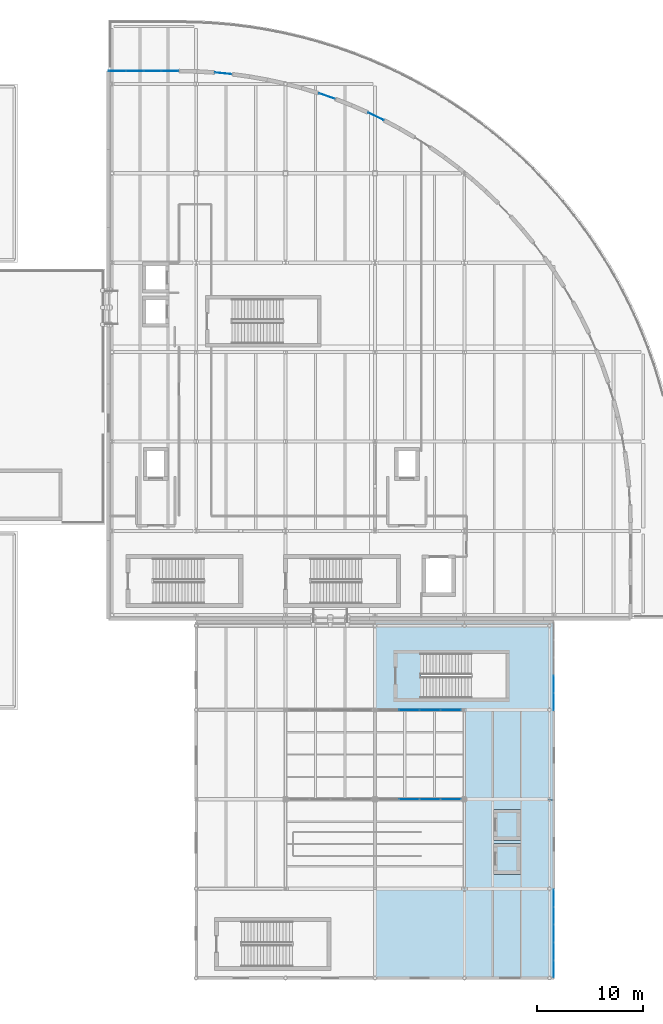
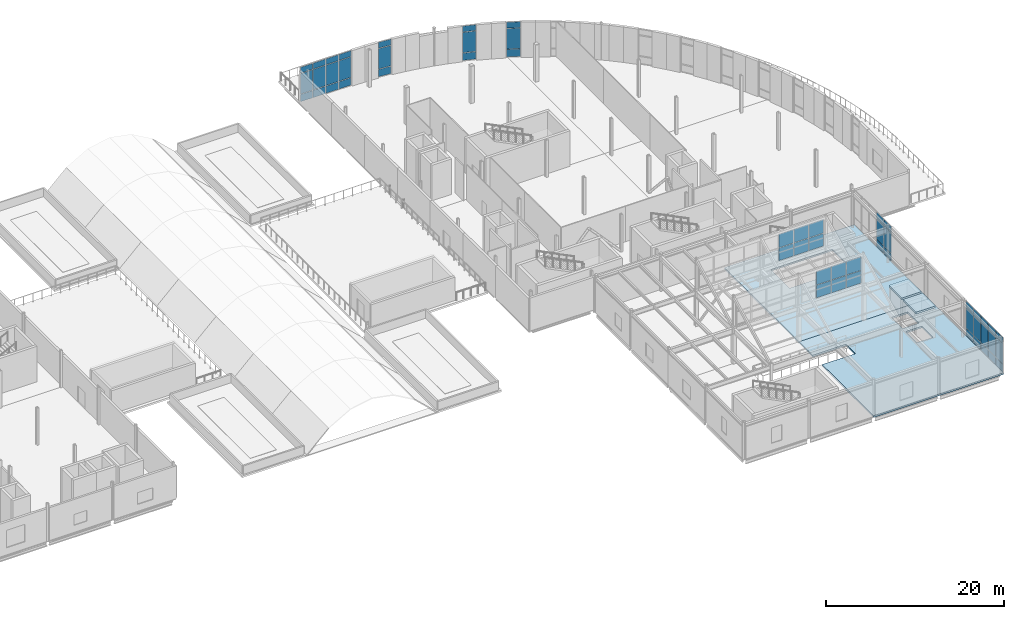
# One storey, part 63 of 91: 54 plates, 4 slabs, 8 elements without a shape of their own.
"""IFC4 building model written with IfcOpenShell, lengths in metres."""

from ifc_helpers import new_model, si_unit, direction, frame, origin, origin_2d, place, context, subcontext, project, spatial, polyline, rectangle, outline, extrude, material, layer, layer_set, type_object, element, aggregate, save


model = new_model("IFC4")

# Units and contexts
model_context = context("Model", 3, precision=1e-05, world=origin(), true_north=direction((0.0, 1.0)))
body_context = subcontext(model_context, "Body", "Model", "MODEL_VIEW")
ifc_project = project(units=[si_unit("LENGTHUNIT", "METRE"), si_unit("AREAUNIT", "SQUARE_METRE"), si_unit("VOLUMEUNIT", "CUBIC_METRE"), si_unit("PLANEANGLEUNIT", "RADIAN"), si_unit("MASSUNIT", "GRAM", prefix="KILO"), si_unit("THERMODYNAMICTEMPERATUREUNIT", "KELVIN")], contexts=[model_context])

# Site, building, storey
site_placement = place(None, origin())
site = spatial("IfcSite", under=ifc_project, at=site_placement, CompositionType="ELEMENT")
building_placement = place(site_placement, origin())
building = spatial("IfcBuilding", under=site, at=building_placement, Name="Lustrewick Department Store", CompositionType="ELEMENT")
storey_placement = place(building_placement, frame((0.0, 0.0, 21.60009765625)))
storey = spatial("IfcBuildingStorey", under=building, at=storey_placement, Name="L05", CompositionType="ELEMENT", Elevation=21.60009765625)

# Curtain wall, plates
ifc_material_1 = material(Name="Thermally broken aluminium 6063-T5", Category="aluminium")
ifc_layer_1 = layer(ifc_material_1, 0.179931640625, Name="Thermally broken aluminium 6063-T5")
ifc_layer_set_1 = layer_set([ifc_layer_1], Name="Thermally broken aluminium 6063-T5")
curtain_wall_type_1 = type_object("IfcCurtainWallType", Name="CW11", PredefinedType="NOTDEFINED", material=ifc_layer_set_1)
curtain_wall_1_placement = place(storey_placement, origin())
curtain_wall_1 = element("IfcCurtainWall", 1, at=curtain_wall_1_placement, inside=storey, type_object=curtain_wall_type_1, Name="L05 V4 Curtain Wall CW11", PredefinedType="NOTDEFINED")
ifc_material_2 = material(Name="Low-E laminated safety glass", Category="glass")
ifc_layer_2 = layer(ifc_material_2, 0.02392578125, Name="Low-E laminated safety glass")
ifc_layer_set_2 = layer_set([ifc_layer_2], Name="Low-E laminated safety glass")
plate_type_1 = type_object("IfcPlateType", Name="CP01", PredefinedType="CURTAIN_PANEL", material=ifc_layer_set_2)
plate_1_placement = place(storey_placement, frame((120.155029296875, 101.78759765625, 0.06494140625), z_axis=(0.0, 0.0, 1.0), x_axis=(-0.995184164571, 0.098022847273, 0.0)))
plate_1 = element("IfcPlate", 2, at=plate_1_placement, type_object=plate_type_1, Name="CW11 panel 1.1", PredefinedType="CURTAIN_PANEL", context=body_context, shape_type="SweptSolid", body=[
    extrude(rectangle(XDim=1.534912109375, YDim=0.02392578125, at=origin_2d()), origin(), (0.0, 0.0, 1.0), 1.00244140625),
])
plate_2_placement = place(storey_placement, frame((120.155029296875, 101.78759765625, 1.13232421875), z_axis=(0.0, 0.0, 1.0), x_axis=(-0.995184164571, 0.098022847273, 0.0)))
plate_2 = element("IfcPlate", 3, at=plate_2_placement, type_object=plate_type_1, Name="CW11 panel 1.2", PredefinedType="CURTAIN_PANEL", context=body_context, shape_type="SweptSolid", body=[
    extrude(rectangle(XDim=1.534912109375, YDim=0.02392578125, at=origin_2d()), origin(), (0.0, 0.0, 1.0), 2.780029296875),
])
plate_3_placement = place(storey_placement, frame((120.155029296875, 101.78759765625, 3.9775390625), z_axis=(0.0, 0.0, 1.0), x_axis=(-0.995184164571, 0.098022847273, 0.0)))
plate_3 = element("IfcPlate", 4, at=plate_3_placement, type_object=plate_type_1, Name="CW11 panel 1.3", PredefinedType="CURTAIN_PANEL", context=body_context, shape_type="SweptSolid", body=[
    extrude(rectangle(XDim=1.534912109375, YDim=0.02392578125, at=origin_2d()), origin(), (0.0, 0.0, 1.0), 0.802490234375),
])
aggregate(curtain_wall_1, [plate_1, plate_2, plate_3])

ifc_layer_3 = layer(ifc_material_1, 0.169921875, Name="Thermally broken aluminium 6063-T5")
ifc_layer_set_3 = layer_set([ifc_layer_3], Name="Thermally broken aluminium 6063-T5")
curtain_wall_type_2 = type_object("IfcCurtainWallType", Name="CW12", PredefinedType="NOTDEFINED", material=ifc_layer_set_3)
curtain_wall_2_placement = place(storey_placement, origin())
curtain_wall_2 = element("IfcCurtainWall", 5, at=curtain_wall_2_placement, inside=storey, type_object=curtain_wall_type_2, Name="L05 V4 Curtain Wall CW12", PredefinedType="NOTDEFINED")
ifc_layer_4 = layer(ifc_material_2, 0.02587890625, Name="Low-E laminated safety glass")
ifc_layer_set_4 = layer_set([ifc_layer_4], Name="Low-E laminated safety glass")
plate_type_2 = type_object("IfcPlateType", Name="CP02", PredefinedType="CURTAIN_PANEL", material=ifc_layer_set_4)
plate_4_placement = place(storey_placement, frame((115.152587890625, 102.0, 0.06494140625), z_axis=(0.0, 0.0, 1.0), x_axis=(-1.0, 0.0, 0.0)))
plate_4 = element("IfcPlate", 6, at=plate_4_placement, type_object=plate_type_2, Name="CW12 panel 1.1", PredefinedType="CURTAIN_PANEL", context=body_context, shape_type="SweptSolid", body=[
    extrude(rectangle(XDim=1.56494140625, YDim=0.02587890625, at=origin_2d()), origin(), (0.0, 0.0, 1.0), 1.00244140625),
])
plate_5_placement = place(storey_placement, frame((115.152587890625, 102.0, 1.13232421875), z_axis=(0.0, 0.0, 1.0), x_axis=(-1.0, 0.0, 0.0)))
plate_5 = element("IfcPlate", 7, at=plate_5_placement, type_object=plate_type_2, Name="CW12 panel 1.2", PredefinedType="CURTAIN_PANEL", context=body_context, shape_type="SweptSolid", body=[
    extrude(rectangle(XDim=1.56494140625, YDim=0.02587890625, at=origin_2d()), origin(), (0.0, 0.0, 1.0), 2.780029296875),
])
plate_6_placement = place(storey_placement, frame((115.152587890625, 102.0, 3.9775390625), z_axis=(0.0, 0.0, 1.0), x_axis=(-1.0, 0.0, 0.0)))
plate_6 = element("IfcPlate", 8, at=plate_6_placement, type_object=plate_type_2, Name="CW12 panel 1.3", PredefinedType="CURTAIN_PANEL", context=body_context, shape_type="SweptSolid", body=[
    extrude(rectangle(XDim=1.56494140625, YDim=0.02587890625, at=origin_2d()), origin(), (0.0, 0.0, 1.0), 0.802490234375),
])
plate_7_placement = place(storey_placement, frame((113.50634765625, 102.0, 0.06494140625), z_axis=(0.0, 0.0, 1.0), x_axis=(-1.0, 0.0, 0.0)))
plate_7 = element("IfcPlate", 9, at=plate_7_placement, type_object=plate_type_2, Name="CW12 panel 2.1", PredefinedType="CURTAIN_PANEL", context=body_context, shape_type="SweptSolid", body=[
    extrude(rectangle(XDim=1.597412109375, YDim=0.02587890625, at=origin_2d()), origin(), (0.0, 0.0, 1.0), 1.00244140625),
])
plate_8_placement = place(storey_placement, frame((113.50634765625, 102.0, 1.13232421875), z_axis=(0.0, 0.0, 1.0), x_axis=(-1.0, 0.0, 0.0)))
plate_8 = element("IfcPlate", 10, at=plate_8_placement, type_object=plate_type_2, Name="CW12 panel 2.2", PredefinedType="CURTAIN_PANEL", context=body_context, shape_type="SweptSolid", body=[
    extrude(rectangle(XDim=1.597412109375, YDim=0.02587890625, at=origin_2d()), origin(), (0.0, 0.0, 1.0), 2.780029296875),
])
plate_9_placement = place(storey_placement, frame((113.50634765625, 102.0, 3.9775390625), z_axis=(0.0, 0.0, 1.0), x_axis=(-1.0, 0.0, 0.0)))
plate_9 = element("IfcPlate", 11, at=plate_9_placement, type_object=plate_type_2, Name="CW12 panel 2.3", PredefinedType="CURTAIN_PANEL", context=body_context, shape_type="SweptSolid", body=[
    extrude(rectangle(XDim=1.597412109375, YDim=0.02587890625, at=origin_2d()), origin(), (0.0, 0.0, 1.0), 0.802490234375),
])
plate_10_placement = place(storey_placement, frame((111.84375, 102.0, 0.06494140625), z_axis=(0.0, 0.0, 1.0), x_axis=(-1.0, 0.0, 0.0)))
plate_10 = element("IfcPlate", 12, at=plate_10_placement, type_object=plate_type_2, Name="CW12 panel 3.1", PredefinedType="CURTAIN_PANEL", context=body_context, shape_type="SweptSolid", body=[
    extrude(rectangle(XDim=1.597412109375, YDim=0.02587890625, at=origin_2d()), origin(), (0.0, 0.0, 1.0), 1.00244140625),
])
plate_11_placement = place(storey_placement, frame((111.84375, 102.0, 1.13232421875), z_axis=(0.0, 0.0, 1.0), x_axis=(-1.0, 0.0, 0.0)))
plate_11 = element("IfcPlate", 13, at=plate_11_placement, type_object=plate_type_2, Name="CW12 panel 3.2", PredefinedType="CURTAIN_PANEL", context=body_context, shape_type="SweptSolid", body=[
    extrude(rectangle(XDim=1.597412109375, YDim=0.02587890625, at=origin_2d()), origin(), (0.0, 0.0, 1.0), 2.780029296875),
])
plate_12_placement = place(storey_placement, frame((111.84375, 102.0, 3.9775390625), z_axis=(0.0, 0.0, 1.0), x_axis=(-1.0, 0.0, 0.0)))
plate_12 = element("IfcPlate", 14, at=plate_12_placement, type_object=plate_type_2, Name="CW12 panel 3.3", PredefinedType="CURTAIN_PANEL", context=body_context, shape_type="SweptSolid", body=[
    extrude(rectangle(XDim=1.597412109375, YDim=0.02587890625, at=origin_2d()), origin(), (0.0, 0.0, 1.0), 0.802490234375),
])
plate_13_placement = place(storey_placement, frame((110.197509765625, 102.0, 0.06494140625), z_axis=(0.0, 0.0, 1.0), x_axis=(-1.0, 0.0, 0.0)))
plate_13 = element("IfcPlate", 15, at=plate_13_placement, type_object=plate_type_2, Name="CW12 panel 4.1", PredefinedType="CURTAIN_PANEL", context=body_context, shape_type="SweptSolid", body=[
    extrude(rectangle(XDim=1.56494140625, YDim=0.02587890625, at=origin_2d()), origin(), (0.0, 0.0, 1.0), 1.00244140625),
])
plate_14_placement = place(storey_placement, frame((110.197509765625, 102.0, 1.13232421875), z_axis=(0.0, 0.0, 1.0), x_axis=(-1.0, 0.0, 0.0)))
plate_14 = element("IfcPlate", 16, at=plate_14_placement, type_object=plate_type_2, Name="CW12 panel 4.2", PredefinedType="CURTAIN_PANEL", context=body_context, shape_type="SweptSolid", body=[
    extrude(rectangle(XDim=1.56494140625, YDim=0.02587890625, at=origin_2d()), origin(), (0.0, 0.0, 1.0), 2.780029296875),
])
plate_15_placement = place(storey_placement, frame((110.197509765625, 102.0, 3.9775390625), z_axis=(0.0, 0.0, 1.0), x_axis=(-1.0, 0.0, 0.0)))
plate_15 = element("IfcPlate", 17, at=plate_15_placement, type_object=plate_type_2, Name="CW12 panel 4.3", PredefinedType="CURTAIN_PANEL", context=body_context, shape_type="SweptSolid", body=[
    extrude(rectangle(XDim=1.56494140625, YDim=0.02587890625, at=origin_2d()), origin(), (0.0, 0.0, 1.0), 0.802490234375),
])
aggregate(curtain_wall_2, [plate_4, plate_5, plate_6, plate_7, plate_8, plate_9, plate_10, plate_11, plate_12, plate_13, plate_14, plate_15])

ifc_layer_5 = layer(ifc_material_1, 0.14990234375, Name="Thermally broken aluminium 6063-T5")
ifc_layer_set_5 = layer_set([ifc_layer_5], Name="Thermally broken aluminium 6063-T5")
curtain_wall_type_3 = type_object("IfcCurtainWallType", Name="CW14", PredefinedType="NOTDEFINED", material=ifc_layer_set_5)
curtain_wall_3_placement = place(storey_placement, origin())
curtain_wall_3 = element("IfcCurtainWall", 18, at=curtain_wall_3_placement, inside=storey, type_object=curtain_wall_type_3, Name="L05 V3 Curtain Wall CW14", PredefinedType="NOTDEFINED")
ifc_material_3 = material(Name="Tinted ceramic spandrel safety glass", Category="glass")
ifc_layer_6 = layer(ifc_material_3, 0.030029296875, Name="Tinted ceramic spandrel safety glass")
ifc_layer_set_6 = layer_set([ifc_layer_6], Name="Tinted ceramic spandrel safety glass")
plate_type_3 = type_object("IfcPlateType", Name="CP04", PredefinedType="CURTAIN_PANEL", material=ifc_layer_set_6)
plate_16_placement = place(storey_placement, frame((151.199951171875, 17.6513671875, 0.06005859375), z_axis=(0.0, 0.0, 1.0), x_axis=(0.0, 1.0, 0.0)))
plate_16 = element("IfcPlate", 19, at=plate_16_placement, type_object=plate_type_3, Name="CW14 panel 1.1", PredefinedType="CURTAIN_PANEL", context=body_context, shape_type="SweptSolid", body=[
    extrude(rectangle(XDim=1.58251953125, YDim=0.030029296875, at=origin_2d()), origin(), (0.0, 0.0, 1.0), 1.010009765625),
])
plate_17_placement = place(storey_placement, frame((151.199951171875, 17.6513671875, 1.1298828125), z_axis=(0.0, 0.0, 1.0), x_axis=(0.0, 1.0, 0.0)))
plate_17 = element("IfcPlate", 20, at=plate_17_placement, type_object=plate_type_3, Name="CW14 panel 1.2", PredefinedType="CURTAIN_PANEL", context=body_context, shape_type="SweptSolid", body=[
    extrude(rectangle(XDim=1.58251953125, YDim=0.030029296875, at=origin_2d()), origin(), (0.0, 0.0, 1.0), 2.784912109375),
])
plate_18_placement = place(storey_placement, frame((151.199951171875, 17.6513671875, 3.974853515625), z_axis=(0.0, 0.0, 1.0), x_axis=(0.0, 1.0, 0.0)))
plate_18 = element("IfcPlate", 21, at=plate_18_placement, type_object=plate_type_3, Name="CW14 panel 1.3", PredefinedType="CURTAIN_PANEL", context=body_context, shape_type="SweptSolid", body=[
    extrude(rectangle(XDim=1.58251953125, YDim=0.030029296875, at=origin_2d()), origin(), (0.0, 0.0, 1.0), 0.81005859375),
])
plate_19_placement = place(storey_placement, frame((151.199951171875, 19.308837890625, 0.06005859375), z_axis=(0.0, 0.0, 1.0), x_axis=(0.0, 1.0, 0.0)))
plate_19 = element("IfcPlate", 22, at=plate_19_placement, type_object=plate_type_3, Name="CW14 panel 2.1", PredefinedType="CURTAIN_PANEL", context=body_context, shape_type="SweptSolid", body=[
    extrude(rectangle(XDim=1.612548828125, YDim=0.030029296875, at=origin_2d()), origin(), (0.0, 0.0, 1.0), 1.010009765625),
])
plate_20_placement = place(storey_placement, frame((151.199951171875, 19.308837890625, 1.1298828125), z_axis=(0.0, 0.0, 1.0), x_axis=(0.0, 1.0, 0.0)))
plate_20 = element("IfcPlate", 23, at=plate_20_placement, type_object=plate_type_3, Name="CW14 panel 2.2", PredefinedType="CURTAIN_PANEL", context=body_context, shape_type="SweptSolid", body=[
    extrude(rectangle(XDim=1.612548828125, YDim=0.030029296875, at=origin_2d()), origin(), (0.0, 0.0, 1.0), 2.784912109375),
])
plate_21_placement = place(storey_placement, frame((151.199951171875, 19.308837890625, 3.974853515625), z_axis=(0.0, 0.0, 1.0), x_axis=(0.0, 1.0, 0.0)))
plate_21 = element("IfcPlate", 24, at=plate_21_placement, type_object=plate_type_3, Name="CW14 panel 2.3", PredefinedType="CURTAIN_PANEL", context=body_context, shape_type="SweptSolid", body=[
    extrude(rectangle(XDim=1.612548828125, YDim=0.030029296875, at=origin_2d()), origin(), (0.0, 0.0, 1.0), 0.81005859375),
])
plate_22_placement = place(storey_placement, frame((151.199951171875, 20.981201171875, 0.06005859375), z_axis=(0.0, 0.0, 1.0), x_axis=(0.0, 1.0, 0.0)))
plate_22 = element("IfcPlate", 25, at=plate_22_placement, type_object=plate_type_3, Name="CW14 panel 3.1", PredefinedType="CURTAIN_PANEL", context=body_context, shape_type="SweptSolid", body=[
    extrude(rectangle(XDim=1.612548828125, YDim=0.030029296875, at=origin_2d()), origin(), (0.0, 0.0, 1.0), 1.010009765625),
])
plate_23_placement = place(storey_placement, frame((151.199951171875, 20.981201171875, 1.1298828125), z_axis=(0.0, 0.0, 1.0), x_axis=(0.0, 1.0, 0.0)))
plate_23 = element("IfcPlate", 26, at=plate_23_placement, type_object=plate_type_3, Name="CW14 panel 3.2", PredefinedType="CURTAIN_PANEL", context=body_context, shape_type="SweptSolid", body=[
    extrude(rectangle(XDim=1.612548828125, YDim=0.030029296875, at=origin_2d()), origin(), (0.0, 0.0, 1.0), 2.784912109375),
])
plate_24_placement = place(storey_placement, frame((151.199951171875, 20.981201171875, 3.974853515625), z_axis=(0.0, 0.0, 1.0), x_axis=(0.0, 1.0, 0.0)))
plate_24 = element("IfcPlate", 27, at=plate_24_placement, type_object=plate_type_3, Name="CW14 panel 3.3", PredefinedType="CURTAIN_PANEL", context=body_context, shape_type="SweptSolid", body=[
    extrude(rectangle(XDim=1.612548828125, YDim=0.030029296875, at=origin_2d()), origin(), (0.0, 0.0, 1.0), 0.81005859375),
])
plate_25_placement = place(storey_placement, frame((151.199951171875, 22.65380859375, 0.06005859375), z_axis=(0.0, 0.0, 1.0), x_axis=(0.0, 1.0, 0.0)))
plate_25 = element("IfcPlate", 28, at=plate_25_placement, type_object=plate_type_3, Name="CW14 panel 4.1", PredefinedType="CURTAIN_PANEL", context=body_context, shape_type="SweptSolid", body=[
    extrude(rectangle(XDim=1.612548828125, YDim=0.030029296875, at=origin_2d()), origin(), (0.0, 0.0, 1.0), 1.010009765625),
])
plate_26_placement = place(storey_placement, frame((151.199951171875, 22.65380859375, 1.1298828125), z_axis=(0.0, 0.0, 1.0), x_axis=(0.0, 1.0, 0.0)))
plate_26 = element("IfcPlate", 29, at=plate_26_placement, type_object=plate_type_3, Name="CW14 panel 4.2", PredefinedType="CURTAIN_PANEL", context=body_context, shape_type="SweptSolid", body=[
    extrude(rectangle(XDim=1.612548828125, YDim=0.030029296875, at=origin_2d()), origin(), (0.0, 0.0, 1.0), 2.784912109375),
])
plate_27_placement = place(storey_placement, frame((151.199951171875, 22.65380859375, 3.974853515625), z_axis=(0.0, 0.0, 1.0), x_axis=(0.0, 1.0, 0.0)))
plate_27 = element("IfcPlate", 30, at=plate_27_placement, type_object=plate_type_3, Name="CW14 panel 4.3", PredefinedType="CURTAIN_PANEL", context=body_context, shape_type="SweptSolid", body=[
    extrude(rectangle(XDim=1.612548828125, YDim=0.030029296875, at=origin_2d()), origin(), (0.0, 0.0, 1.0), 0.81005859375),
])
plate_28_placement = place(storey_placement, frame((151.199951171875, 24.311279296875, 0.06005859375), z_axis=(0.0, 0.0, 1.0), x_axis=(0.0, 1.0, 0.0)))
plate_28 = element("IfcPlate", 31, at=plate_28_placement, type_object=plate_type_3, Name="CW14 panel 5.1", PredefinedType="CURTAIN_PANEL", context=body_context, shape_type="SweptSolid", body=[
    extrude(rectangle(XDim=1.58251953125, YDim=0.030029296875, at=origin_2d()), origin(), (0.0, 0.0, 1.0), 1.010009765625),
])
plate_29_placement = place(storey_placement, frame((151.199951171875, 24.311279296875, 1.1298828125), z_axis=(0.0, 0.0, 1.0), x_axis=(0.0, 1.0, 0.0)))
plate_29 = element("IfcPlate", 32, at=plate_29_placement, type_object=plate_type_3, Name="CW14 panel 5.2", PredefinedType="CURTAIN_PANEL", context=body_context, shape_type="SweptSolid", body=[
    extrude(rectangle(XDim=1.58251953125, YDim=0.030029296875, at=origin_2d()), origin(), (0.0, 0.0, 1.0), 2.784912109375),
])
plate_30_placement = place(storey_placement, frame((151.199951171875, 24.311279296875, 3.974853515625), z_axis=(0.0, 0.0, 1.0), x_axis=(0.0, 1.0, 0.0)))
plate_30 = element("IfcPlate", 33, at=plate_30_placement, type_object=plate_type_3, Name="CW14 panel 5.3", PredefinedType="CURTAIN_PANEL", context=body_context, shape_type="SweptSolid", body=[
    extrude(rectangle(XDim=1.58251953125, YDim=0.030029296875, at=origin_2d()), origin(), (0.0, 0.0, 1.0), 0.81005859375),
])
aggregate(curtain_wall_3, [plate_16, plate_17, plate_18, plate_19, plate_20, plate_21, plate_22, plate_23, plate_24, plate_25, plate_26, plate_27, plate_28, plate_29, plate_30])

ifc_layer_7 = layer(ifc_material_1, 0.110107421875, Name="Thermally broken aluminium 6063-T5")
ifc_layer_set_7 = layer_set([ifc_layer_7], Name="Thermally broken aluminium 6063-T5")
curtain_wall_type_4 = type_object("IfcCurtainWallType", Name="CW09", PredefinedType="NOTDEFINED", material=ifc_layer_set_7)
curtain_wall_4_placement = place(storey_placement, origin())
curtain_wall_4 = element("IfcCurtainWall", 34, at=curtain_wall_4_placement, inside=storey, type_object=curtain_wall_type_4, Name="L05 V4 Curtain Wall CW09", PredefinedType="NOTDEFINED")
plate_31_placement = place(storey_placement, frame((134.500244140625, 97.741943359375, 0.050048828125), z_axis=(0.0, 0.0, 1.0), x_axis=(-0.899744074179, 0.436417920095, 0.0)))
plate_31 = element("IfcPlate", 35, at=plate_31_placement, type_object=plate_type_3, Name="CW09 panel 1.1", PredefinedType="CURTAIN_PANEL", context=body_context, shape_type="SweptSolid", body=[
    extrude(rectangle(XDim=1.56494140625, YDim=0.030029296875, at=origin_2d()), origin(), (0.0, 0.0, 1.0), 1.02490234375),
])
plate_32_placement = place(storey_placement, frame((134.500244140625, 97.741943359375, 1.125), z_axis=(0.0, 0.0, 1.0), x_axis=(-0.899744074179, 0.436417920095, 0.0)))
plate_32 = element("IfcPlate", 36, at=plate_32_placement, type_object=plate_type_3, Name="CW09 panel 1.2", PredefinedType="CURTAIN_PANEL", context=body_context, shape_type="SweptSolid", body=[
    extrude(rectangle(XDim=1.56494140625, YDim=0.030029296875, at=origin_2d()), origin(), (0.0, 0.0, 1.0), 2.794921875),
])
plate_33_placement = place(storey_placement, frame((134.500244140625, 97.741943359375, 3.9697265625), z_axis=(0.0, 0.0, 1.0), x_axis=(-0.899744074179, 0.436417920095, 0.0)))
plate_33 = element("IfcPlate", 37, at=plate_33_placement, type_object=plate_type_3, Name="CW09 panel 1.3", PredefinedType="CURTAIN_PANEL", context=body_context, shape_type="SweptSolid", body=[
    extrude(rectangle(XDim=1.56494140625, YDim=0.030029296875, at=origin_2d()), origin(), (0.0, 0.0, 1.0), 0.824951171875),
])
aggregate(curtain_wall_4, [plate_31, plate_32, plate_33])

ifc_layer_8 = layer(ifc_material_1, 0.139892578125, Name="Thermally broken aluminium 6063-T5")
ifc_layer_set_8 = layer_set([ifc_layer_8], Name="Thermally broken aluminium 6063-T5")
curtain_wall_type_5 = type_object("IfcCurtainWallType", Name="CW15", PredefinedType="NOTDEFINED", material=ifc_layer_set_8)
curtain_wall_5_placement = place(storey_placement, origin())
curtain_wall_5 = element("IfcCurtainWall", 38, at=curtain_wall_5_placement, inside=storey, type_object=curtain_wall_type_5, Name="L05 V3 Curtain Wall CW15", PredefinedType="NOTDEFINED")
ifc_material_4 = material(Name="Low-E triple laminated safety glass", Category="glass")
ifc_layer_9 = layer(ifc_material_4, 0.031982421875, Name="Low-E triple laminated safety glass")
ifc_layer_set_9 = layer_set([ifc_layer_9], Name="Low-E triple laminated safety glass")
plate_type_4 = type_object("IfcPlateType", Name="CP05", PredefinedType="CURTAIN_PANEL", material=ifc_layer_set_9)
plate_34_placement = place(storey_placement, frame((151.199951171875, 42.737548828125, 0.054931640625), z_axis=(0.0, 0.0, 1.0), x_axis=(0.0, 1.0, 0.0)))
plate_34 = element("IfcPlate", 39, at=plate_34_placement, type_object=plate_type_4, Name="CW15 panel 1.1", PredefinedType="CURTAIN_PANEL", context=body_context, shape_type="SweptSolid", body=[
    extrude(rectangle(XDim=1.590087890625, YDim=0.031982421875, at=origin_2d()), origin(), (0.0, 0.0, 1.0), 1.017578125),
])
plate_35_placement = place(storey_placement, frame((151.199951171875, 42.737548828125, 1.12744140625), z_axis=(0.0, 0.0, 1.0), x_axis=(0.0, 1.0, 0.0)))
plate_35 = element("IfcPlate", 40, at=plate_35_placement, type_object=plate_type_4, Name="CW15 panel 1.2", PredefinedType="CURTAIN_PANEL", context=body_context, shape_type="SweptSolid", body=[
    extrude(rectangle(XDim=1.590087890625, YDim=0.031982421875, at=origin_2d()), origin(), (0.0, 0.0, 1.0), 2.7900390625),
])
plate_36_placement = place(storey_placement, frame((151.199951171875, 42.737548828125, 3.972412109375), z_axis=(0.0, 0.0, 1.0), x_axis=(0.0, 1.0, 0.0)))
plate_36 = element("IfcPlate", 41, at=plate_36_placement, type_object=plate_type_4, Name="CW15 panel 1.3", PredefinedType="CURTAIN_PANEL", context=body_context, shape_type="SweptSolid", body=[
    extrude(rectangle(XDim=1.590087890625, YDim=0.031982421875, at=origin_2d()), origin(), (0.0, 0.0, 1.0), 0.8173828125),
])
plate_37_placement = place(storey_placement, frame((151.199951171875, 44.396240234375, 0.054931640625), z_axis=(0.0, 0.0, 1.0), x_axis=(0.0, 1.0, 0.0)))
plate_37 = element("IfcPlate", 42, at=plate_37_placement, type_object=plate_type_4, Name="CW15 panel 2.1", PredefinedType="CURTAIN_PANEL", context=body_context, shape_type="SweptSolid", body=[
    extrude(rectangle(XDim=1.617431640625, YDim=0.031982421875, at=origin_2d()), origin(), (0.0, 0.0, 1.0), 1.017578125),
])
plate_38_placement = place(storey_placement, frame((151.199951171875, 44.396240234375, 1.12744140625), z_axis=(0.0, 0.0, 1.0), x_axis=(0.0, 1.0, 0.0)))
plate_38 = element("IfcPlate", 43, at=plate_38_placement, type_object=plate_type_4, Name="CW15 panel 2.2", PredefinedType="CURTAIN_PANEL", context=body_context, shape_type="SweptSolid", body=[
    extrude(rectangle(XDim=1.617431640625, YDim=0.031982421875, at=origin_2d()), origin(), (0.0, 0.0, 1.0), 2.7900390625),
])
plate_39_placement = place(storey_placement, frame((151.199951171875, 44.396240234375, 3.972412109375), z_axis=(0.0, 0.0, 1.0), x_axis=(0.0, 1.0, 0.0)))
plate_39 = element("IfcPlate", 44, at=plate_39_placement, type_object=plate_type_4, Name="CW15 panel 2.3", PredefinedType="CURTAIN_PANEL", context=body_context, shape_type="SweptSolid", body=[
    extrude(rectangle(XDim=1.617431640625, YDim=0.031982421875, at=origin_2d()), origin(), (0.0, 0.0, 1.0), 0.8173828125),
])
aggregate(curtain_wall_5, [plate_34, plate_35, plate_36, plate_37, plate_38, plate_39])

ifc_layer_10 = layer(ifc_material_1, 0.199951171875, Name="Thermally broken aluminium 6063-T5")
ifc_layer_set_10 = layer_set([ifc_layer_10], Name="Thermally broken aluminium 6063-T5")
curtain_wall_type_6 = type_object("IfcCurtainWallType", Name="CW10", PredefinedType="NOTDEFINED", material=ifc_layer_set_10)
curtain_wall_6_placement = place(storey_placement, origin())
curtain_wall_6 = element("IfcCurtainWall", 45, at=curtain_wall_6_placement, inside=storey, type_object=curtain_wall_type_6, Name="L05 V4 Curtain Wall CW10", PredefinedType="NOTDEFINED")
plate_40_placement = place(storey_placement, frame((129.888916015625, 99.652099609375, 0.06982421875), z_axis=(0.0, 0.0, 1.0), x_axis=(-0.944806703129, 0.327628285902, 0.0)))
plate_40 = element("IfcPlate", 46, at=plate_40_placement, type_object=plate_type_4, Name="CW10 panel 1.1", PredefinedType="CURTAIN_PANEL", context=body_context, shape_type="SweptSolid", body=[
    extrude(rectangle(XDim=1.52490234375, YDim=0.031982421875, at=origin_2d()), origin(), (0.0, 0.0, 1.0), 0.9951171875),
])
plate_41_placement = place(storey_placement, frame((129.888916015625, 99.652099609375, 1.135009765625), z_axis=(0.0, 0.0, 1.0), x_axis=(-0.944806703129, 0.327628285902, 0.0)))
plate_41 = element("IfcPlate", 47, at=plate_41_placement, type_object=plate_type_4, Name="CW10 panel 1.2", PredefinedType="CURTAIN_PANEL", context=body_context, shape_type="SweptSolid", body=[
    extrude(rectangle(XDim=1.52490234375, YDim=0.031982421875, at=origin_2d()), origin(), (0.0, 0.0, 1.0), 2.77490234375),
])
plate_42_placement = place(storey_placement, frame((129.888916015625, 99.652099609375, 3.97998046875), z_axis=(0.0, 0.0, 1.0), x_axis=(-0.944806703129, 0.327628285902, 0.0)))
plate_42 = element("IfcPlate", 48, at=plate_42_placement, type_object=plate_type_4, Name="CW10 panel 1.3", PredefinedType="CURTAIN_PANEL", context=body_context, shape_type="SweptSolid", body=[
    extrude(rectangle(XDim=1.52490234375, YDim=0.031982421875, at=origin_2d()), origin(), (0.0, 0.0, 1.0), 0.794921875),
])
aggregate(curtain_wall_6, [plate_40, plate_41, plate_42])

curtain_wall_7_placement = place(storey_placement, origin())
curtain_wall_7 = element("IfcCurtainWall", 49, at=curtain_wall_7_placement, inside=storey, type_object=curtain_wall_type_5, Name="L05 North-Light Clerestory CW15", PredefinedType="NOTDEFINED")
plate_43_placement = place(storey_placement, frame((137.625, 33.60009765625, 5.15478515625), z_axis=(0.0, 0.0, 1.0), x_axis=(1.0, 0.0, 0.0)))
plate_43 = element("IfcPlate", 50, at=plate_43_placement, type_object=plate_type_4, Name="CW15 panel 2.1", PredefinedType="CURTAIN_PANEL", context=body_context, shape_type="SweptSolid", body=[
    extrude(rectangle(XDim=1.89501953125, YDim=0.031982421875, at=origin_2d()), origin(), (0.0, 0.0, 1.0), 1.717529296875),
])
plate_44_placement = place(storey_placement, frame((137.625, 33.60009765625, 6.92724609375), z_axis=(0.0, 0.0, 1.0), x_axis=(1.0, 0.0, 0.0)))
plate_44 = element("IfcPlate", 51, at=plate_44_placement, type_object=plate_type_4, Name="CW15 panel 2.2", PredefinedType="CURTAIN_PANEL", context=body_context, shape_type="SweptSolid", body=[
    extrude(rectangle(XDim=1.89501953125, YDim=0.031982421875, at=origin_2d()), origin(), (0.0, 0.0, 1.0), 1.867431640625),
])
plate_45_placement = place(storey_placement, frame((139.574951171875, 33.60009765625, 5.15478515625), z_axis=(0.0, 0.0, 1.0), x_axis=(1.0, 0.0, 0.0)))
plate_45 = element("IfcPlate", 52, at=plate_45_placement, type_object=plate_type_4, Name="CW15 panel 3.1", PredefinedType="CURTAIN_PANEL", context=body_context, shape_type="SweptSolid", body=[
    extrude(rectangle(XDim=1.89501953125, YDim=0.031982421875, at=origin_2d()), origin(), (0.0, 0.0, 1.0), 1.717529296875),
])
plate_46_placement = place(storey_placement, frame((139.574951171875, 33.60009765625, 6.92724609375), z_axis=(0.0, 0.0, 1.0), x_axis=(1.0, 0.0, 0.0)))
plate_46 = element("IfcPlate", 53, at=plate_46_placement, type_object=plate_type_4, Name="CW15 panel 3.2", PredefinedType="CURTAIN_PANEL", context=body_context, shape_type="SweptSolid", body=[
    extrude(rectangle(XDim=1.89501953125, YDim=0.031982421875, at=origin_2d()), origin(), (0.0, 0.0, 1.0), 1.867431640625),
])
plate_47_placement = place(storey_placement, frame((141.51123046875, 33.60009765625, 5.15478515625), z_axis=(0.0, 0.0, 1.0), x_axis=(1.0, 0.0, 0.0)))
plate_47 = element("IfcPlate", 54, at=plate_47_placement, type_object=plate_type_4, Name="CW15 panel 4.1", PredefinedType="CURTAIN_PANEL", context=body_context, shape_type="SweptSolid", body=[
    extrude(rectangle(XDim=1.867431640625, YDim=0.031982421875, at=origin_2d()), origin(), (0.0, 0.0, 1.0), 1.717529296875),
])
plate_48_placement = place(storey_placement, frame((141.51123046875, 33.60009765625, 6.92724609375), z_axis=(0.0, 0.0, 1.0), x_axis=(1.0, 0.0, 0.0)))
plate_48 = element("IfcPlate", 55, at=plate_48_placement, type_object=plate_type_4, Name="CW15 panel 4.2", PredefinedType="CURTAIN_PANEL", context=body_context, shape_type="SweptSolid", body=[
    extrude(rectangle(XDim=1.867431640625, YDim=0.031982421875, at=origin_2d()), origin(), (0.0, 0.0, 1.0), 1.867431640625),
])
aggregate(curtain_wall_7, [plate_43, plate_44, plate_45, plate_46, plate_47, plate_48])

curtain_wall_8_placement = place(storey_placement, origin())
curtain_wall_8 = element("IfcCurtainWall", 56, at=curtain_wall_8_placement, inside=storey, type_object=curtain_wall_type_5, Name="L05 North-Light Clerestory CW15", PredefinedType="NOTDEFINED")
plate_49_placement = place(storey_placement, frame((137.625, 42.0, 5.15478515625), z_axis=(0.0, 0.0, 1.0), x_axis=(1.0, 0.0, 0.0)))
plate_49 = element("IfcPlate", 57, at=plate_49_placement, type_object=plate_type_4, Name="CW15 panel 2.1", PredefinedType="CURTAIN_PANEL", context=body_context, shape_type="SweptSolid", body=[
    extrude(rectangle(XDim=1.89501953125, YDim=0.031982421875, at=origin_2d()), origin(), (0.0, 0.0, 1.0), 1.717529296875),
])
plate_50_placement = place(storey_placement, frame((137.625, 42.0, 6.92724609375), z_axis=(0.0, 0.0, 1.0), x_axis=(1.0, 0.0, 0.0)))
plate_50 = element("IfcPlate", 58, at=plate_50_placement, type_object=plate_type_4, Name="CW15 panel 2.2", PredefinedType="CURTAIN_PANEL", context=body_context, shape_type="SweptSolid", body=[
    extrude(rectangle(XDim=1.89501953125, YDim=0.031982421875, at=origin_2d()), origin(), (0.0, 0.0, 1.0), 1.867431640625),
])
plate_51_placement = place(storey_placement, frame((139.574951171875, 42.0, 5.15478515625), z_axis=(0.0, 0.0, 1.0), x_axis=(1.0, 0.0, 0.0)))
plate_51 = element("IfcPlate", 59, at=plate_51_placement, type_object=plate_type_4, Name="CW15 panel 3.1", PredefinedType="CURTAIN_PANEL", context=body_context, shape_type="SweptSolid", body=[
    extrude(rectangle(XDim=1.89501953125, YDim=0.031982421875, at=origin_2d()), origin(), (0.0, 0.0, 1.0), 1.717529296875),
])
plate_52_placement = place(storey_placement, frame((139.574951171875, 42.0, 6.92724609375), z_axis=(0.0, 0.0, 1.0), x_axis=(1.0, 0.0, 0.0)))
plate_52 = element("IfcPlate", 60, at=plate_52_placement, type_object=plate_type_4, Name="CW15 panel 3.2", PredefinedType="CURTAIN_PANEL", context=body_context, shape_type="SweptSolid", body=[
    extrude(rectangle(XDim=1.89501953125, YDim=0.031982421875, at=origin_2d()), origin(), (0.0, 0.0, 1.0), 1.867431640625),
])
plate_53_placement = place(storey_placement, frame((141.51123046875, 42.0, 5.15478515625), z_axis=(0.0, 0.0, 1.0), x_axis=(1.0, 0.0, 0.0)))
plate_53 = element("IfcPlate", 61, at=plate_53_placement, type_object=plate_type_4, Name="CW15 panel 4.1", PredefinedType="CURTAIN_PANEL", context=body_context, shape_type="SweptSolid", body=[
    extrude(rectangle(XDim=1.867431640625, YDim=0.031982421875, at=origin_2d()), origin(), (0.0, 0.0, 1.0), 1.717529296875),
])
plate_54_placement = place(storey_placement, frame((141.51123046875, 42.0, 6.92724609375), z_axis=(0.0, 0.0, 1.0), x_axis=(1.0, 0.0, 0.0)))
plate_54 = element("IfcPlate", 62, at=plate_54_placement, type_object=plate_type_4, Name="CW15 panel 4.2", PredefinedType="CURTAIN_PANEL", context=body_context, shape_type="SweptSolid", body=[
    extrude(rectangle(XDim=1.867431640625, YDim=0.031982421875, at=origin_2d()), origin(), (0.0, 0.0, 1.0), 1.867431640625),
])
aggregate(curtain_wall_8, [plate_49, plate_50, plate_51, plate_52, plate_53, plate_54])

# Slabs
ifc_material_5 = material(Name="Concrete C30", Category="concrete")
ifc_layer_11 = layer(ifc_material_5, 0.22998046875, Name="Concrete C30")
ifc_layer_set_11 = layer_set([ifc_layer_11], Name="Concrete C30")
slab_type_1 = type_object("IfcSlabType", Name="FS05", PredefinedType="FLOOR", material=ifc_layer_set_11)
slab_1_placement = place(storey_placement, frame((0.0, 0.0, -0.22998046875)))
element("IfcSlab", 63, at=slab_1_placement, inside=storey, type_object=slab_type_1, Name="L05 V3 Floor Slab FS05", PredefinedType="FLOOR", context=body_context, shape_type="SweptSolid", body=[
    extrude(outline(polyline([(138.719970703125, 30.429931640625), (138.719970703125, 28.3701171875), (138.719970703125, 28.35009765625), (134.39990234375, 28.35009765625), (134.39990234375, 16.800048828125), (151.199951171875, 16.800048828125), (151.199951171875, 33.52490234375), (134.39990234375, 33.52490234375), (134.39990234375, 30.449951171875), (138.719970703125, 30.449951171875), (138.719970703125, 30.429931640625)]), holes=[polyline([(147.85009765625, 26.75), (147.85009765625, 29.25), (145.75, 29.25), (145.75, 26.75), (147.85009765625, 26.75)]), polyline([(147.85009765625, 29.949951171875), (147.85009765625, 32.449951171875), (145.75, 32.449951171875), (145.75, 29.949951171875), (147.85009765625, 29.949951171875)])]), origin(), (0.0, 0.0, 1.0), 0.22998046875),
])
slab_2_placement = place(storey_placement, frame((0.0, 0.0, -0.22998046875)))
element("IfcSlab", 64, at=slab_2_placement, inside=storey, type_object=slab_type_1, Name="L05 V3 Floor Slab FS05", PredefinedType="FLOOR", context=body_context, shape_type="SweptSolid", body=[
    extrude(outline(polyline([(151.199951171875, 50.25), (134.39990234375, 50.25), (134.39990234375, 33.52490234375), (151.199951171875, 33.52490234375), (151.199951171875, 50.25)]), holes=[polyline([(138.719970703125, 43.10009765625), (138.719970703125, 47.300048828125), (146.699951171875, 47.300048828125), (146.699951171875, 43.10009765625), (138.719970703125, 43.10009765625)])]), origin(), (0.0, 0.0, 1.0), 0.22998046875),
])
ifc_material_6 = material(Name="Concrete C35", Category="concrete")
ifc_layer_12 = layer(ifc_material_6, 0.26806640625, Name="Concrete C35")
ifc_layer_set_12 = layer_set([ifc_layer_12], Name="Concrete C35")
slab_type_2 = type_object("IfcSlabType", Name="RS02", PredefinedType="ROOF", material=ifc_layer_set_12)
slab_3_placement = place(storey_placement, frame((0.0, 0.0, 4.094970703125)))
element("IfcSlab", 65, at=slab_3_placement, inside=storey, type_object=slab_type_2, Name="L05 Lift PL-05 Overrun Cap Slab", PredefinedType="ROOF", context=body_context, shape_type="SweptSolid", body=[
    extrude(outline(polyline([(148.06005859375, 26.5400390625), (148.06005859375, 29.4599609375), (145.5400390625, 29.4599609375), (145.5400390625, 26.5400390625), (148.06005859375, 26.5400390625)])), origin(), (0.0, 0.0, 1.0), 0.267822265625),
])
slab_4_placement = place(storey_placement, frame((0.0, 0.0, 4.094970703125)))
element("IfcSlab", 66, at=slab_4_placement, inside=storey, type_object=slab_type_2, Name="L05 Lift PL-06 Overrun Cap Slab", PredefinedType="ROOF", context=body_context, shape_type="SweptSolid", body=[
    extrude(outline(polyline([(148.06005859375, 29.739990234375), (148.06005859375, 32.659912109375), (145.5400390625, 32.659912109375), (145.5400390625, 29.739990234375), (148.06005859375, 29.739990234375)])), origin(), (0.0, 0.0, 1.0), 0.267822265625),
])

save(model, "model.ifc")
